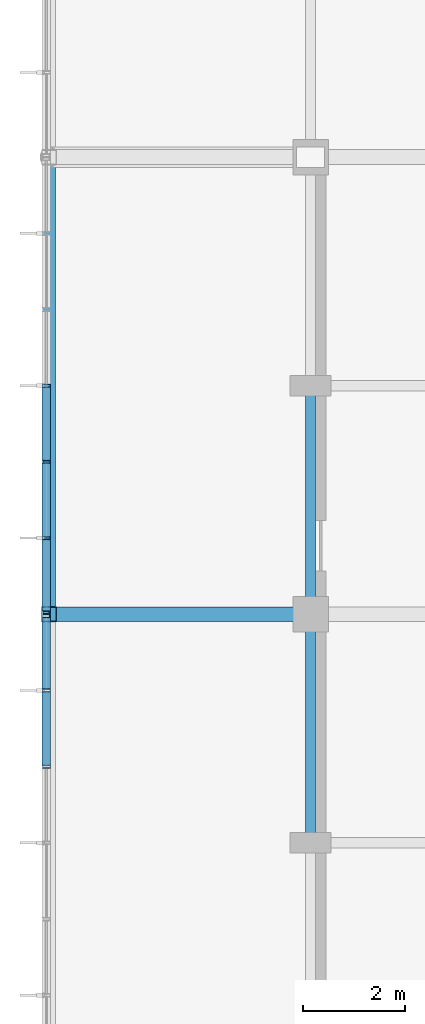
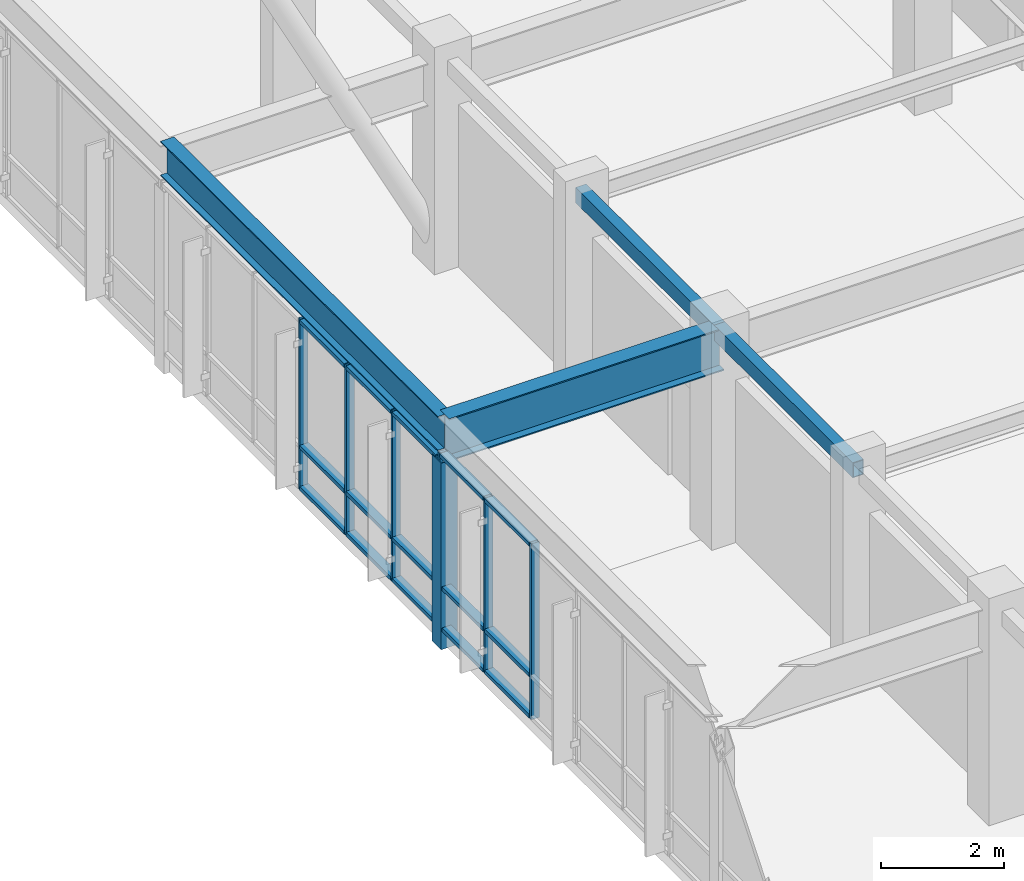
# One storey, part 18 of 55: 23 members, 4 beams, 2 elements without a shape of their own.
"""IFC4 building model written with IfcOpenShell, lengths in metres."""

import ifcopenshell
import ifcopenshell.guid

model = None  # the IFC model being written
_history = None  # IfcOwnerHistory: only IFC2X3 demands one
_inside = {}  # id of a spatial element -> (the spatial element, [elements in it])
_under = {}  # id of a project, library or spatial element -> (it, [spatial elements below it])
_declared = {}  # id of a project -> (the project, [libraries it declares])
_typed = {}  # id of a type object -> (the type object, [elements of that type])
_made_of = {}  # id of a material, layer set ... -> (it, [elements and type objects made of it])


def new_model(schema):
    """Start an empty IFC model of exactly this schema.

    Asked for "IFC4X3", IfcOpenShell would pick the latest addendum, in which some entities
    have other attributes; the version numbers below select the first issue.
    IFC2X3 requires an IfcOwnerHistory on every rooted entity: one is made here for all.
    """
    global model, _history
    if schema == "IFC4X3":
        model = ifcopenshell.file(schema_version=(4, 3, 0, 0))
    else:
        model = ifcopenshell.file(schema=schema)
    _inside.clear()
    _under.clear()
    _declared.clear()
    _typed.clear()
    _made_of.clear()
    _history = None
    if model.schema == "IFC2X3":
        org = make("IfcOrganization", Name="unknown")
        user = make(
            "IfcPersonAndOrganization",
            ThePerson=make("IfcPerson", FamilyName="unknown"),
            TheOrganization=org,
        )
        app = make(
            "IfcApplication",
            ApplicationDeveloper=org,
            Version="unknown",
            ApplicationFullName="unknown",
            ApplicationIdentifier="unknown",
        )
        _history = make(
            "IfcOwnerHistory",
            OwningUser=user,
            OwningApplication=app,
            ChangeAction="ADDED",
            CreationDate=0,
        )
    return model


def make(cls, **values):
    """One entity of the class cls with the attributes given. An attribute that is None is left unset."""
    return model.create_entity(
        cls, **{name: value for name, value in values.items() if value is not None}
    )


def rooted(cls, **values):
    """An entity with a GlobalId (a new one), such as an element, a storey or a relation."""
    return make(cls, GlobalId=ifcopenshell.guid.new(), OwnerHistory=_history, **values)


def si_unit(unit_type, name, prefix=None):
    """IfcSIUnit, for example si_unit("LENGTHUNIT", "METRE", prefix="MILLI")."""
    return make("IfcSIUnit", UnitType=unit_type, Prefix=prefix, Name=name)


def assignment(units):
    """IfcUnitAssignment: the units of a project."""
    return None if units is None else make("IfcUnitAssignment", Units=units)


def point(xyz):
    """IfcCartesianPoint."""
    return None if xyz is None else make("IfcCartesianPoint", Coordinates=xyz)


def direction(xyz):
    """IfcDirection."""
    return None if xyz is None else make("IfcDirection", DirectionRatios=xyz)


def frame(location, z_axis=None, x_axis=None):
    """IfcAxis2Placement3D, a coordinate frame: its origin and axes. An axis left out is left unset."""
    return make(
        "IfcAxis2Placement3D",
        Location=point(location),
        Axis=direction(z_axis),
        RefDirection=direction(x_axis),
    )


def frame_2d(location, x_axis=None):
    """IfcAxis2Placement2D, a coordinate frame in the plane: its origin and x axis."""
    return make(
        "IfcAxis2Placement2D", Location=point(location), RefDirection=direction(x_axis)
    )


def origin():
    """The frame at (0, 0, 0) with its axes left unset."""
    return frame((0.0, 0.0, 0.0))


def origin_2d():
    """The frame at (0, 0) in the plane with its x axis left unset."""
    return frame_2d((0.0, 0.0))


def place(relative_to, where):
    """IfcLocalPlacement: puts the frame where relative to a parent placement (None: the world)."""
    return make(
        "IfcLocalPlacement", PlacementRelTo=relative_to, RelativePlacement=where
    )


def context(
    kind, dimensions, precision=None, world=None, true_north=None, identifier=None
):
    """IfcGeometricRepresentationContext, for example the 3D "Model" context."""
    return make(
        "IfcGeometricRepresentationContext",
        ContextIdentifier=identifier,
        ContextType=kind,
        CoordinateSpaceDimension=dimensions,
        Precision=precision,
        WorldCoordinateSystem=world,
        TrueNorth=true_north,
    )


def subcontext(parent, identifier, kind, view, scale=None):
    """IfcGeometricRepresentationSubContext, for example "Body" below "Model"."""
    return make(
        "IfcGeometricRepresentationSubContext",
        ContextIdentifier=identifier,
        ContextType=kind,
        ParentContext=parent,
        TargetScale=scale,
        TargetView=view,
    )


def project(units=None, contexts=None):
    """IfcProject with its units and contexts."""
    return rooted(
        "IfcProject",
        Name="project",
        RepresentationContexts=contexts,
        UnitsInContext=assignment(units),
    )


def spatial(cls, under=None, at=None, **own):
    """A site, building, storey or space (cls), placed at a placement, below another one or the project."""
    s = rooted(cls, ObjectPlacement=at, **own)
    if under is not None:
        _under.setdefault(under.id(), (under, []))[1].append(s)
    return s


def profile(cls, at=None, kind="AREA", **sizes):
    """A parametric profile (cls). Its sizes go by their IFC names, for example OverallWidth=200.0."""
    return make(cls, ProfileType=kind, Position=at, **sizes)


def hollow_rectangle(**sizes):
    """IfcRectangleHollowProfileDef."""
    return profile("IfcRectangleHollowProfileDef", **sizes)


def i_section(**sizes):
    """IfcIShapeProfileDef."""
    return profile("IfcIShapeProfileDef", **sizes)


def extrude(swept, where, along, depth):
    """IfcExtrudedAreaSolid: the profile swept, set in the frame where, extruded along a direction by depth."""
    return make(
        "IfcExtrudedAreaSolid",
        SweptArea=swept,
        Position=where,
        ExtrudedDirection=direction(along),
        Depth=depth,
    )


def shape(context_of_items, identifier, shape_type, items):
    """IfcShapeRepresentation: the items that make up one representation, for example the "Body"."""
    return make(
        "IfcShapeRepresentation",
        ContextOfItems=context_of_items,
        RepresentationIdentifier=identifier,
        RepresentationType=shape_type,
        Items=items,
    )


def material(Name=None, Category=None):
    """IfcMaterial."""
    return make("IfcMaterial", Name=Name, Category=Category)


def layer(
    of_material, thickness, ventilated=None, Name=None, Category=None, Priority=None
):
    """IfcMaterialLayer: one layer of a wall or slab, of a material (None: an air gap)."""
    return make(
        "IfcMaterialLayer",
        Material=of_material,
        LayerThickness=thickness,
        IsVentilated=ventilated,
        Name=Name,
        Category=Category,
        Priority=Priority,
    )


def layer_set(layers, Name=None):
    """IfcMaterialLayerSet."""
    return make("IfcMaterialLayerSet", MaterialLayers=layers, LayerSetName=Name)


def material_profile(
    of_material, cross_section, Name=None, Category=None, Priority=None
):
    """IfcMaterialProfile: a cross section and its material."""
    return make(
        "IfcMaterialProfile",
        Name=Name,
        Material=of_material,
        Profile=cross_section,
        Priority=Priority,
        Category=Category,
    )


def profile_set(profiles, Name=None, composite=None):
    """IfcMaterialProfileSet."""
    return make(
        "IfcMaterialProfileSet",
        Name=Name,
        MaterialProfiles=profiles,
        CompositeProfile=composite,
    )


def made_of(thing, what):
    """Note that an element or type object is made of a material, layer set ...; save() writes the relation."""
    if what is not None:
        _made_of.setdefault(what.id(), (what, []))[1].append(thing)
    return thing


def type_object(cls, material=None, **own):
    """A type object (cls), such as IfcWallType, which elements share."""
    return made_of(rooted(cls, **own), material)


def element(
    cls,
    number,
    at=None,
    inside=None,
    cuts=None,
    type_object=None,
    material=None,
    context=None,
    identifier="Body",
    shape_type=None,
    held_by="IfcProductDefinitionShape",
    body=None,
    shapes=None,
    **own,
):
    """One element of the class cls, such as IfcWall. Its Tag is "e" and its number.

    at: its placement. inside: the storey or other place that contains it. cuts: it is an
    opening in that element (IfcRelVoidsElement). A single representation is given by context,
    identifier, shape_type and body (its items); several are given by shapes. held_by: the class
    of the entity that holds the representations. save() writes the other relations.
    """
    e = rooted(cls, Tag="e%d" % number, ObjectPlacement=at, **own)
    if body is not None:
        shapes = [shape(context, identifier, shape_type, body)]
    if shapes is not None:
        e.Representation = make(held_by, Representations=shapes)
    if inside is not None:
        _inside.setdefault(inside.id(), (inside, []))[1].append(e)
    if cuts is not None:
        rooted(
            "IfcRelVoidsElement", RelatingBuildingElement=cuts, RelatedOpeningElement=e
        )
    if type_object is not None:
        _typed.setdefault(type_object.id(), (type_object, []))[1].append(e)
    return made_of(e, material)


def aggregate(whole, parts):
    """IfcRelAggregates: a whole, such as a stair, and the parts it consists of."""
    return rooted("IfcRelAggregates", RelatingObject=whole, RelatedObjects=parts)


def save(model, path):
    """Write the relations noted so far, then the file.

    IfcRelAggregates (storeys below a building ...), IfcRelContainedInSpatialStructure (elements
    in a storey), IfcRelDefinesByType, IfcRelAssociatesMaterial and IfcRelDeclares: one each for
    every whole, place, type object, material and project.
    """
    for whole, parts in _under.values():
        aggregate(whole, parts)
    for where, things in _inside.values():
        rooted(
            "IfcRelContainedInSpatialStructure",
            RelatedElements=things,
            RelatingStructure=where,
        )
    for kind, things in _typed.values():
        rooted("IfcRelDefinesByType", RelatedObjects=things, RelatingType=kind)
    for what, things in _made_of.values():
        rooted("IfcRelAssociatesMaterial", RelatedObjects=things, RelatingMaterial=what)
    for by, libraries in _declared.values():
        rooted("IfcRelDeclares", RelatingContext=by, RelatedDefinitions=libraries)
    model.write(path)


model = new_model("IFC4")

# Units and contexts
model_context = context("Model", 3, precision=1e-05, world=origin(), true_north=direction((0.0, 1.0)))
body_context = subcontext(model_context, "Body", "Model", "MODEL_VIEW")
ifc_project = project(units=[si_unit("LENGTHUNIT", "METRE"), si_unit("AREAUNIT", "SQUARE_METRE"), si_unit("VOLUMEUNIT", "CUBIC_METRE"), si_unit("PLANEANGLEUNIT", "RADIAN"), si_unit("MASSUNIT", "GRAM", prefix="KILO")], contexts=[model_context])

# Site, building, storey
site_placement = place(None, origin())
site = spatial("IfcSite", under=ifc_project, at=site_placement, CompositionType="ELEMENT")
building_placement = place(site_placement, origin())
building = spatial("IfcBuilding", under=site, at=building_placement, Name="Ventoquebrada Cableway Terminal", CompositionType="ELEMENT")
storey_placement = place(building_placement, frame((0.0, 0.0, 14.39990234375)))
storey = spatial("IfcBuildingStorey", under=building, at=storey_placement, Name="L03", CompositionType="ELEMENT", Elevation=14.39990234375)

# Beams
ifc_material_1 = material(Name="Steel ASTM A992 Grade 50", Category="steel")
ifc_material_profile_1 = material_profile(ifc_material_1, i_section(OverallWidth=0.25390625, OverallDepth=0.68798828125, WebThickness=0.01318359375, FlangeThickness=0.02099609375, at=origin_2d()), Name="W27X102")
ifc_profile_set_1 = profile_set([ifc_material_profile_1], Name="Steel ASTM A992 Grade 50")
beam_type_1 = type_object("IfcBeamType", Name="BM-ST04", PredefinedType="BEAM", material=ifc_profile_set_1)
beam_1_placement = place(storey_placement, frame((3.050048828125, 95.0, 3.821044921875), z_axis=(0.0, 1.0, 0.0), x_axis=(-1.0, 0.0, 0.0)))
element("IfcBeam", 1, at=beam_1_placement, inside=storey, type_object=beam_type_1, Name="Cantilever edge girder CB-017", PredefinedType="BEAM", context=body_context, shape_type="SweptSolid", body=[
    extrude(i_section(OverallWidth=0.25390625, OverallDepth=0.68798828125, WebThickness=0.01318359375, FlangeThickness=0.02099609375, at=origin_2d()), origin(), (0.0, 0.0, 1.0), 9.0),
])
ifc_material_profile_2 = material_profile(ifc_material_1, i_section(OverallWidth=0.2919921875, OverallDepth=0.845947265625, WebThickness=0.015380859375, FlangeThickness=0.0244140625, at=origin_2d()), Name="W33X141")
ifc_profile_set_2 = profile_set([ifc_material_profile_2], Name="Steel ASTM A992 Grade 50")
beam_type_2 = type_object("IfcBeamType", Name="BM-ST06", PredefinedType="BEAM", material=ifc_profile_set_2)
beam_2_placement = place(storey_placement, frame((3.050048828125, 95.0, 3.7421875), z_axis=(1.0, 0.0, 0.0), x_axis=(0.0, 1.0, 0.0)))
element("IfcBeam", 2, at=beam_2_placement, inside=storey, type_object=beam_type_2, Name="Cantilever belvedere girder CB-012", PredefinedType="BEAM", context=body_context, shape_type="SweptSolid", body=[
    extrude(i_section(OverallWidth=0.2919921875, OverallDepth=0.845947265625, WebThickness=0.015380859375, FlangeThickness=0.0244140625, at=origin_2d()), origin(), (0.0, 0.0, 1.0), 5.14990234375),
])

# Curtain wall, members
ifc_material_2 = material(Name="Anodized thermally-broken aluminium", Category="aluminium")
ifc_layer_1 = layer(ifc_material_2, 0.159912109375)
ifc_layer_set_1 = layer_set([ifc_layer_1], Name="Anodized thermally-broken aluminium")
curtain_wall_type_1 = type_object("IfcCurtainWallType", Name="CW-T22", PredefinedType="USERDEFINED", material=ifc_layer_set_1)
curtain_wall_1_placement = place(storey_placement, origin())
curtain_wall_1 = element("IfcCurtainWall", 3, at=curtain_wall_1_placement, inside=storey, type_object=curtain_wall_type_1, Name="Unitised glazed curtain wall CW-057", ObjectType="UNITISED CURTAIN WALL", PredefinedType="USERDEFINED")
ifc_material_profile_3 = material_profile(ifc_material_2, hollow_rectangle(XDim=0.06005859375, YDim=0.14990234375, WallThickness=0.00390625, at=origin_2d()), Name="CW-MUL-60X150")
ifc_profile_set_3 = profile_set([ifc_material_profile_3], Name="Anodized thermally-broken aluminium")
member_type_1 = type_object("IfcMemberType", Name="CWM-03", PredefinedType="MULLION", material=ifc_profile_set_3)
member_1_placement = place(storey_placement, frame((3.0, 94.965087890625, -0.0078125), z_axis=(0.0, 0.0, 1.0), x_axis=(0.0, -1.0, 0.0)))
member_1 = element("IfcMember", 4, at=member_1_placement, type_object=member_type_1, Name="Curtain wall mullion FML-0255", PredefinedType="MULLION", context=body_context, shape_type="SweptSolid", body=[
    extrude(hollow_rectangle(XDim=0.06005859375, YDim=0.14990234375, WallThickness=0.00390625, at=origin_2d()), origin(), (0.0, 0.0, 1.0), 3.48486328125),
])
member_2_placement = place(storey_placement, frame((3.0, 93.5, -0.0078125), z_axis=(0.0, 0.0, 1.0), x_axis=(0.0, -1.0, 0.0)))
member_2 = element("IfcMember", 5, at=member_2_placement, type_object=member_type_1, Name="Curtain wall mullion FML-0256", PredefinedType="MULLION", context=body_context, shape_type="SweptSolid", body=[
    extrude(hollow_rectangle(XDim=0.06005859375, YDim=0.14990234375, WallThickness=0.00390625, at=origin_2d()), origin(), (0.0, 0.0, 1.0), 3.48486328125),
])
member_3_placement = place(storey_placement, frame((3.0, 92.0, -0.0078125), z_axis=(0.0, 0.0, 1.0), x_axis=(0.0, -1.0, 0.0)))
member_3 = element("IfcMember", 6, at=member_3_placement, type_object=member_type_1, Name="Curtain wall mullion FML-0257", PredefinedType="MULLION", context=body_context, shape_type="SweptSolid", body=[
    extrude(hollow_rectangle(XDim=0.06005859375, YDim=0.14990234375, WallThickness=0.00390625, at=origin_2d()), origin(), (0.0, 0.0, 1.0), 3.48486328125),
])

ifc_layer_2 = layer(ifc_material_2, 0.159912109375)
ifc_layer_set_2 = layer_set([ifc_layer_2], Name="Anodized thermally-broken aluminium")
curtain_wall_type_2 = type_object("IfcCurtainWallType", Name="CW-T23", PredefinedType="USERDEFINED", material=ifc_layer_set_2)
curtain_wall_2_placement = place(storey_placement, origin())
curtain_wall_2 = element("IfcCurtainWall", 7, at=curtain_wall_2_placement, inside=storey, type_object=curtain_wall_type_2, Name="Unitised glazed curtain wall CW-058", ObjectType="UNITISED CURTAIN WALL", PredefinedType="USERDEFINED")
member_4_placement = place(storey_placement, frame((3.0, 99.5, -0.0078125), z_axis=(0.0, 0.0, 1.0), x_axis=(0.0, -1.0, 0.0)))
member_4 = element("IfcMember", 8, at=member_4_placement, type_object=member_type_1, Name="Curtain wall mullion FML-0265", PredefinedType="MULLION", context=body_context, shape_type="SweptSolid", body=[
    extrude(hollow_rectangle(XDim=0.06005859375, YDim=0.14990234375, WallThickness=0.00390625, at=origin_2d()), origin(), (0.0, 0.0, 1.0), 3.385009765625),
])
member_5_placement = place(storey_placement, frame((3.0, 98.0, -0.0078125), z_axis=(0.0, 0.0, 1.0), x_axis=(0.0, -1.0, 0.0)))
member_5 = element("IfcMember", 9, at=member_5_placement, type_object=member_type_1, Name="Curtain wall mullion FML-0266", PredefinedType="MULLION", context=body_context, shape_type="SweptSolid", body=[
    extrude(hollow_rectangle(XDim=0.06005859375, YDim=0.14990234375, WallThickness=0.00390625, at=origin_2d()), origin(), (0.0, 0.0, 1.0), 3.385009765625),
])
member_6_placement = place(storey_placement, frame((3.0, 96.5, -0.0078125), z_axis=(0.0, 0.0, 1.0), x_axis=(0.0, -1.0, 0.0)))
member_6 = element("IfcMember", 10, at=member_6_placement, type_object=member_type_1, Name="Curtain wall mullion FML-0267", PredefinedType="MULLION", context=body_context, shape_type="SweptSolid", body=[
    extrude(hollow_rectangle(XDim=0.06005859375, YDim=0.14990234375, WallThickness=0.00390625, at=origin_2d()), origin(), (0.0, 0.0, 1.0), 3.385009765625),
])
member_7_placement = place(storey_placement, frame((3.0, 95.034912109375, -0.0078125), z_axis=(0.0, 0.0, 1.0), x_axis=(0.0, -1.0, 0.0)))
member_7 = element("IfcMember", 11, at=member_7_placement, type_object=member_type_1, Name="Curtain wall mullion FML-0268", PredefinedType="MULLION", context=body_context, shape_type="SweptSolid", body=[
    extrude(hollow_rectangle(XDim=0.06005859375, YDim=0.14990234375, WallThickness=0.00390625, at=origin_2d()), origin(), (0.0, 0.0, 1.0), 3.385009765625),
])

# Member
ifc_material_profile_4 = material_profile(ifc_material_2, hollow_rectangle(XDim=0.074951171875, YDim=0.169921875, WallThickness=0.00439453125, at=origin_2d()), Name="CW-TRN-75X170")
ifc_profile_set_4 = profile_set([ifc_material_profile_4], Name="Anodized thermally-broken aluminium")
member_type_2 = type_object("IfcMemberType", Name="CWT-03", PredefinedType="USERDEFINED", material=ifc_profile_set_4)
member_8_placement = place(storey_placement, frame((3.0, 94.93994140625, 0.03515625), z_axis=(0.0, -1.0, 0.0), x_axis=(0.0, 0.0, 1.0)))
member_8 = element("IfcMember", 12, at=member_8_placement, type_object=member_type_2, Name="Curtain wall transom FTR-0756", ObjectType="TRANSOM", PredefinedType="USERDEFINED", context=body_context, shape_type="SweptSolid", body=[
    extrude(hollow_rectangle(XDim=0.074951171875, YDim=0.169921875, WallThickness=0.00439453125, at=origin_2d()), origin(), (0.0, 0.0, 1.0), 1.4150390625),
])

member_9_placement = place(storey_placement, frame((3.0, 94.93994140625, 0.85009765625), z_axis=(0.0, -1.0, 0.0), x_axis=(0.0, 0.0, 1.0)))
member_9 = element("IfcMember", 13, at=member_9_placement, type_object=member_type_2, Name="Curtain wall transom FTR-0757", ObjectType="TRANSOM", PredefinedType="USERDEFINED", context=body_context, shape_type="SweptSolid", body=[
    extrude(hollow_rectangle(XDim=0.074951171875, YDim=0.169921875, WallThickness=0.00439453125, at=origin_2d()), origin(), (0.0, 0.0, 1.0), 1.4150390625),
])

member_10_placement = place(storey_placement, frame((3.0, 94.93994140625, 3.43701171875), z_axis=(0.0, -1.0, 0.0), x_axis=(0.0, 0.0, 1.0)))
member_10 = element("IfcMember", 14, at=member_10_placement, type_object=member_type_2, Name="Curtain wall transom FTR-0758", ObjectType="TRANSOM", PredefinedType="USERDEFINED", context=body_context, shape_type="SweptSolid", body=[
    extrude(hollow_rectangle(XDim=0.074951171875, YDim=0.169921875, WallThickness=0.00439453125, at=origin_2d()), origin(), (0.0, 0.0, 1.0), 1.4150390625),
])

member_11_placement = place(storey_placement, frame((3.0, 93.47509765625, 0.03515625), z_axis=(0.0, -1.0, 0.0), x_axis=(0.0, 0.0, 1.0)))
member_11 = element("IfcMember", 15, at=member_11_placement, type_object=member_type_2, Name="Curtain wall transom FTR-0759", ObjectType="TRANSOM", PredefinedType="USERDEFINED", context=body_context, shape_type="SweptSolid", body=[
    extrude(hollow_rectangle(XDim=0.074951171875, YDim=0.169921875, WallThickness=0.00439453125, at=origin_2d()), origin(), (0.0, 0.0, 1.0), 1.4501953125),
])

member_12_placement = place(storey_placement, frame((3.0, 93.47509765625, 0.85009765625), z_axis=(0.0, -1.0, 0.0), x_axis=(0.0, 0.0, 1.0)))
member_12 = element("IfcMember", 16, at=member_12_placement, type_object=member_type_2, Name="Curtain wall transom FTR-0760", ObjectType="TRANSOM", PredefinedType="USERDEFINED", context=body_context, shape_type="SweptSolid", body=[
    extrude(hollow_rectangle(XDim=0.074951171875, YDim=0.169921875, WallThickness=0.00439453125, at=origin_2d()), origin(), (0.0, 0.0, 1.0), 1.4501953125),
])

member_13_placement = place(storey_placement, frame((3.0, 93.47509765625, 3.43701171875), z_axis=(0.0, -1.0, 0.0), x_axis=(0.0, 0.0, 1.0)))
member_13 = element("IfcMember", 17, at=member_13_placement, type_object=member_type_2, Name="Curtain wall transom FTR-0761", ObjectType="TRANSOM", PredefinedType="USERDEFINED", context=body_context, shape_type="SweptSolid", body=[
    extrude(hollow_rectangle(XDim=0.074951171875, YDim=0.169921875, WallThickness=0.00439453125, at=origin_2d()), origin(), (0.0, 0.0, 1.0), 1.4501953125),
])

aggregate(curtain_wall_1, [member_1, member_2, member_3, member_8, member_9, member_10, member_11, member_12, member_13])

member_14_placement = place(storey_placement, frame((3.0, 99.47509765625, 0.03515625), z_axis=(0.0, -1.0, 0.0), x_axis=(0.0, 0.0, 1.0)))
member_14 = element("IfcMember", 18, at=member_14_placement, type_object=member_type_2, Name="Curtain wall transom FTR-0783", ObjectType="TRANSOM", PredefinedType="USERDEFINED", context=body_context, shape_type="SweptSolid", body=[
    extrude(hollow_rectangle(XDim=0.074951171875, YDim=0.169921875, WallThickness=0.00439453125, at=origin_2d()), origin(), (0.0, 0.0, 1.0), 1.4501953125),
])

member_15_placement = place(storey_placement, frame((3.0, 99.47509765625, 0.85009765625), z_axis=(0.0, -1.0, 0.0), x_axis=(0.0, 0.0, 1.0)))
member_15 = element("IfcMember", 19, at=member_15_placement, type_object=member_type_2, Name="Curtain wall transom FTR-0784", ObjectType="TRANSOM", PredefinedType="USERDEFINED", context=body_context, shape_type="SweptSolid", body=[
    extrude(hollow_rectangle(XDim=0.074951171875, YDim=0.169921875, WallThickness=0.00439453125, at=origin_2d()), origin(), (0.0, 0.0, 1.0), 1.4501953125),
])

member_16_placement = place(storey_placement, frame((3.0, 99.47509765625, 3.337158203125), z_axis=(0.0, -1.0, 0.0), x_axis=(0.0, 0.0, 1.0)))
member_16 = element("IfcMember", 20, at=member_16_placement, type_object=member_type_2, Name="Curtain wall transom FTR-0785", ObjectType="TRANSOM", PredefinedType="USERDEFINED", context=body_context, shape_type="SweptSolid", body=[
    extrude(hollow_rectangle(XDim=0.074951171875, YDim=0.169921875, WallThickness=0.00439453125, at=origin_2d()), origin(), (0.0, 0.0, 1.0), 1.4501953125),
])

member_17_placement = place(storey_placement, frame((3.0, 97.97509765625, 0.03515625), z_axis=(0.0, -1.0, 0.0), x_axis=(0.0, 0.0, 1.0)))
member_17 = element("IfcMember", 21, at=member_17_placement, type_object=member_type_2, Name="Curtain wall transom FTR-0786", ObjectType="TRANSOM", PredefinedType="USERDEFINED", context=body_context, shape_type="SweptSolid", body=[
    extrude(hollow_rectangle(XDim=0.074951171875, YDim=0.169921875, WallThickness=0.00439453125, at=origin_2d()), origin(), (0.0, 0.0, 1.0), 1.4501953125),
])

member_18_placement = place(storey_placement, frame((3.0, 97.97509765625, 0.85009765625), z_axis=(0.0, -1.0, 0.0), x_axis=(0.0, 0.0, 1.0)))
member_18 = element("IfcMember", 22, at=member_18_placement, type_object=member_type_2, Name="Curtain wall transom FTR-0787", ObjectType="TRANSOM", PredefinedType="USERDEFINED", context=body_context, shape_type="SweptSolid", body=[
    extrude(hollow_rectangle(XDim=0.074951171875, YDim=0.169921875, WallThickness=0.00439453125, at=origin_2d()), origin(), (0.0, 0.0, 1.0), 1.4501953125),
])

member_19_placement = place(storey_placement, frame((3.0, 97.97509765625, 3.337158203125), z_axis=(0.0, -1.0, 0.0), x_axis=(0.0, 0.0, 1.0)))
member_19 = element("IfcMember", 23, at=member_19_placement, type_object=member_type_2, Name="Curtain wall transom FTR-0788", ObjectType="TRANSOM", PredefinedType="USERDEFINED", context=body_context, shape_type="SweptSolid", body=[
    extrude(hollow_rectangle(XDim=0.074951171875, YDim=0.169921875, WallThickness=0.00439453125, at=origin_2d()), origin(), (0.0, 0.0, 1.0), 1.4501953125),
])

member_20_placement = place(storey_placement, frame((3.0, 96.47509765625, 0.03515625), z_axis=(0.0, -1.0, 0.0), x_axis=(0.0, 0.0, 1.0)))
member_20 = element("IfcMember", 24, at=member_20_placement, type_object=member_type_2, Name="Curtain wall transom FTR-0789", ObjectType="TRANSOM", PredefinedType="USERDEFINED", context=body_context, shape_type="SweptSolid", body=[
    extrude(hollow_rectangle(XDim=0.074951171875, YDim=0.169921875, WallThickness=0.00439453125, at=origin_2d()), origin(), (0.0, 0.0, 1.0), 1.4150390625),
])

member_21_placement = place(storey_placement, frame((3.0, 96.47509765625, 0.85009765625), z_axis=(0.0, -1.0, 0.0), x_axis=(0.0, 0.0, 1.0)))
member_21 = element("IfcMember", 25, at=member_21_placement, type_object=member_type_2, Name="Curtain wall transom FTR-0790", ObjectType="TRANSOM", PredefinedType="USERDEFINED", context=body_context, shape_type="SweptSolid", body=[
    extrude(hollow_rectangle(XDim=0.074951171875, YDim=0.169921875, WallThickness=0.00439453125, at=origin_2d()), origin(), (0.0, 0.0, 1.0), 1.4150390625),
])

member_22_placement = place(storey_placement, frame((3.0, 96.47509765625, 3.337158203125), z_axis=(0.0, -1.0, 0.0), x_axis=(0.0, 0.0, 1.0)))
member_22 = element("IfcMember", 26, at=member_22_placement, type_object=member_type_2, Name="Curtain wall transom FTR-0791", ObjectType="TRANSOM", PredefinedType="USERDEFINED", context=body_context, shape_type="SweptSolid", body=[
    extrude(hollow_rectangle(XDim=0.074951171875, YDim=0.169921875, WallThickness=0.00439453125, at=origin_2d()), origin(), (0.0, 0.0, 1.0), 1.4150390625),
])

aggregate(curtain_wall_2, [member_4, member_5, member_6, member_7, member_14, member_15, member_16, member_17, member_18, member_19, member_20, member_21, member_22])

ifc_material_3 = material(Name="Steel ASTM A500 Grade C", Category="steel")
ifc_material_profile_5 = material_profile(ifc_material_3, hollow_rectangle(XDim=0.300048828125, YDim=0.300048828125, WallThickness=0.01611328125, at=origin_2d()), Name="HSS300X300X16")
ifc_profile_set_5 = profile_set([ifc_material_profile_5], Name="Steel ASTM A500 Grade C")
member_type_3 = type_object("IfcMemberType", Name="PST-GS01", PredefinedType="STRUT", material=ifc_profile_set_5)
member_23_placement = place(storey_placement, frame((3.050048828125, 95.0, -0.35498046875), z_axis=(0.0, 0.0, 1.0), x_axis=(1.0, 0.0, 0.0)))
element("IfcMember", 27, at=member_23_placement, inside=storey, type_object=member_type_3, Name="Belvedere facade support post FPS-002", PredefinedType="STRUT", context=body_context, shape_type="SweptSolid", body=[
    extrude(hollow_rectangle(XDim=0.300048828125, YDim=0.300048828125, WallThickness=0.01611328125, at=origin_2d()), origin(), (0.0, 0.0, 1.0), 3.694091796875),
])

# Beams
ifc_material_profile_6 = material_profile(ifc_material_3, hollow_rectangle(XDim=0.199951171875, YDim=0.300048828125, WallThickness=0.012451171875, at=origin_2d()), Name="RHS300X200X12.5")
ifc_profile_set_6 = profile_set([ifc_material_profile_6], Name="Steel ASTM A500 Grade C")
beam_type_3 = type_object("IfcBeamType", Name="SP-ST02", PredefinedType="SPANDREL", material=ifc_profile_set_6)
for number, where, z_axis, x_axis, name in (
    (28, (8.199951171875, 90.5, 4.01513671875), (0.0, 1.0, 0.0), (-1.0, 0.0, 0.0), "Perimeter spandrel beam FBM-0510"),
    (29, (8.199951171875, 95.0, 4.01513671875), (0.0, 1.0, 0.0), (-1.0, 0.0, 0.0), "Perimeter spandrel beam FBM-0511"),
):
    element("IfcBeam", number, at=place(storey_placement, frame(where, z_axis=z_axis, x_axis=x_axis)), inside=storey, type_object=beam_type_3, Name=name, PredefinedType="SPANDREL", context=body_context, shape_type="SweptSolid", body=[
        extrude(hollow_rectangle(XDim=0.199951171875, YDim=0.300048828125, WallThickness=0.012451171875, at=origin_2d()), origin(), (0.0, 0.0, 1.0), 4.5),
    ])

save(model, "model.ifc")
